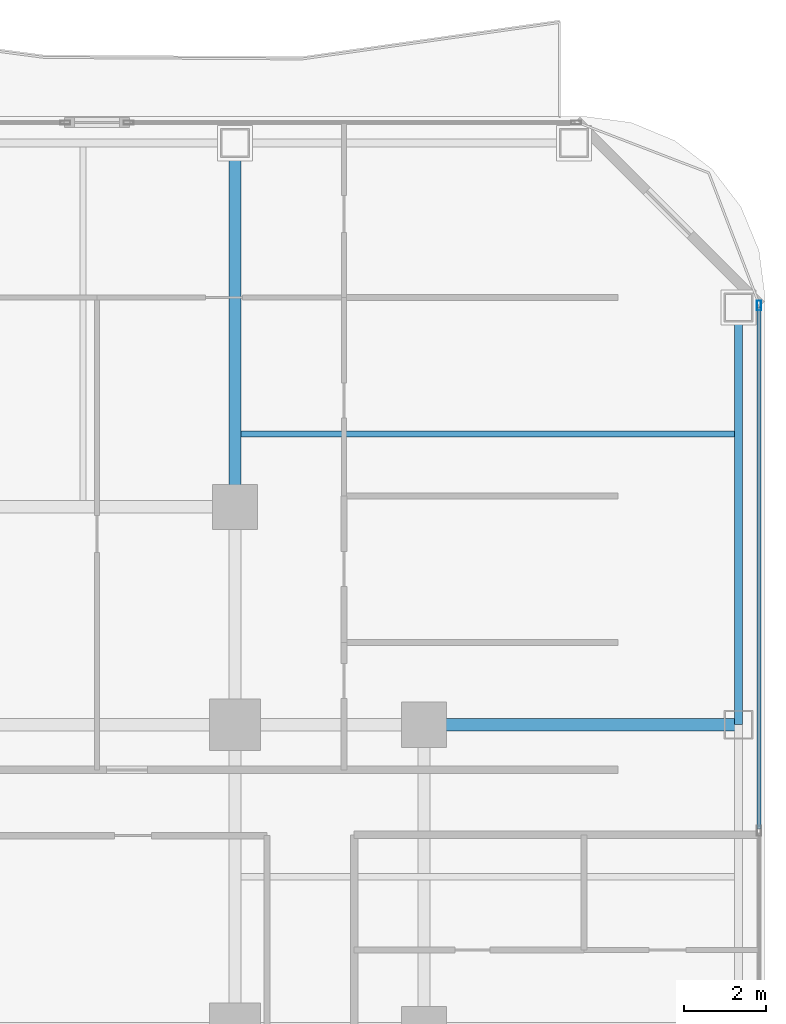
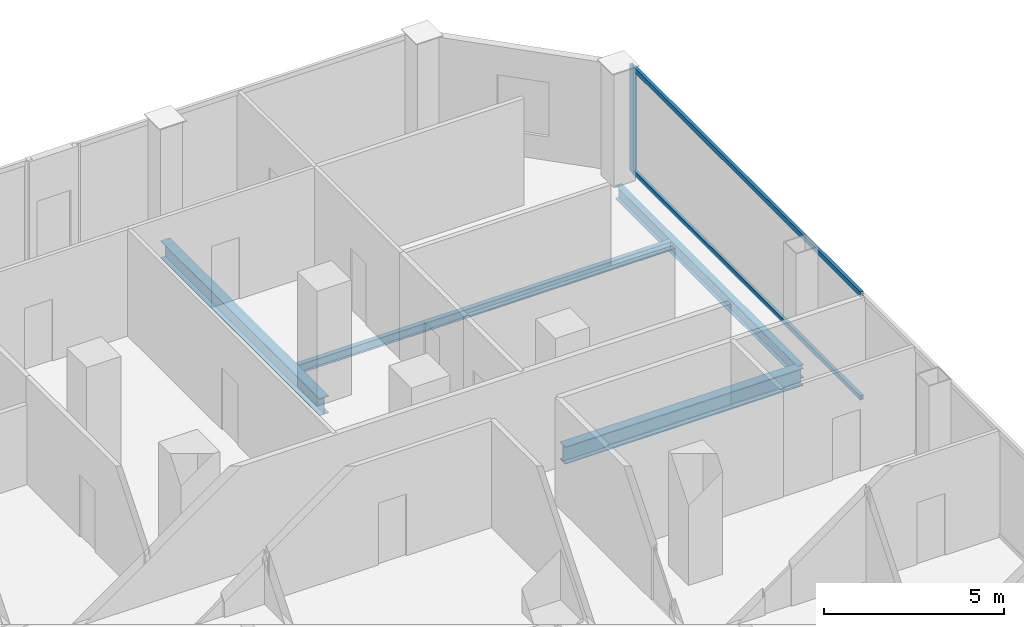
# One storey, part 17 of 27: 4 beams, 3 members, 1 element without a shape of its own.
"""IFC4 building model written with IfcOpenShell, lengths in metres."""

from ifc_helpers import new_model, si_unit, direction, frame, origin, origin_2d, place, context, subcontext, project, spatial, hollow_rectangle, i_section, extrude, material, layer, layer_set, material_profile, profile_set, type_object, element, aggregate, save


model = new_model("IFC4")

# Units and contexts
model_context = context("Model", 3, precision=1e-05, world=origin(), true_north=direction((0.0, 1.0)))
body_context = subcontext(model_context, "Body", "Model", "MODEL_VIEW")
ifc_project = project(units=[si_unit("LENGTHUNIT", "METRE"), si_unit("AREAUNIT", "SQUARE_METRE"), si_unit("VOLUMEUNIT", "CUBIC_METRE"), si_unit("PLANEANGLEUNIT", "RADIAN"), si_unit("MASSUNIT", "GRAM", prefix="KILO")], contexts=[model_context])

# Site, building, storey
site_placement = place(None, origin())
site = spatial("IfcSite", under=ifc_project, at=site_placement, CompositionType="ELEMENT")
building_placement = place(site_placement, origin())
building = spatial("IfcBuilding", under=site, at=building_placement, Name="Khorvyn Point Tower", CompositionType="ELEMENT")
storey_placement = place(building_placement, frame((0.0, 0.0, 132.89990234375)))
storey = spatial("IfcBuildingStorey", under=building, at=storey_placement, Name="L33", CompositionType="ELEMENT", Elevation=132.89990234375)

# Curtain wall, members
ifc_material_1 = material(Name="Anodised aluminium 6063-T6 and laminated Low-E glass", Category="aluminium")
ifc_layer = layer(ifc_material_1, 0.18994140625)
ifc_layer_set = layer_set([ifc_layer], Name="Stick-Built Acoustic Curtain Wall CW-SYS-03")
curtain_wall_type = type_object("IfcCurtainWallType", Name="Stick-Built Acoustic Curtain Wall CW-SYS-03", PredefinedType="NOTDEFINED", material=ifc_layer_set)
curtain_wall_placement = place(storey_placement, origin())
curtain_wall = element("IfcCurtainWall", 1, at=curtain_wall_placement, inside=storey, type_object=curtain_wall_type, Name="Curtain Wall", PredefinedType="NOTDEFINED")
ifc_material_2 = material(Name="Anodised aluminium 6063-T6", Category="aluminium")
ifc_material_profile_1 = material_profile(ifc_material_2, hollow_rectangle(XDim=0.10009765625, YDim=0.239990234375, WallThickness=0.0048828125, at=origin_2d()))
ifc_profile_set_1 = profile_set([ifc_material_profile_1], Name="Anodised aluminium 6063-T6 ALU-MUL-100x240")
member_type_1 = type_object("IfcMemberType", Name="Anodised Aluminium 6063-T6 Mullion ALU-MUL-100x240", PredefinedType="MULLION", material=ifc_profile_set_1)
member_1_placement = place(storey_placement, frame((27.550048828125, 25.0, 0.0), z_axis=(0.0, 0.0, 1.0), x_axis=(1.0, 0.0, 0.0)))
member_1 = element("IfcMember", 2, at=member_1_placement, type_object=member_type_1, Name="Transom", PredefinedType="MULLION", context=body_context, shape_type="SweptSolid", body=[
    extrude(hollow_rectangle(XDim=0.10009765625, YDim=0.239990234375, WallThickness=0.0048828125, at=origin_2d()), origin(), (0.0, 0.0, 1.0), 3.6201171875),
])
ifc_material_profile_2 = material_profile(ifc_material_2, hollow_rectangle(XDim=0.10009765625, YDim=0.159912109375, WallThickness=0.00439453125, at=origin_2d()))
ifc_profile_set_2 = profile_set([ifc_material_profile_2], Name="Anodised aluminium 6063-T6 ALU-TRN-100x160")
member_type_2 = type_object("IfcMemberType", Name="Anodised Aluminium 6063-T6 Transom ALU-TRN-100x160", PredefinedType="USERDEFINED", material=ifc_profile_set_2)
member_2_placement = place(storey_placement, frame((27.550048828125, 24.949951171875, 0.050048828125), z_axis=(0.0, -1.0, 0.0), x_axis=(1.0, 0.0, 0.0)))
member_2 = element("IfcMember", 3, at=member_2_placement, type_object=member_type_2, Name="Transom", ObjectType="TRANSOM", PredefinedType="USERDEFINED", context=body_context, shape_type="SweptSolid", body=[
    extrude(hollow_rectangle(XDim=0.10009765625, YDim=0.159912109375, WallThickness=0.00439453125, at=origin_2d()), origin(), (0.0, 0.0, 1.0), 12.683349609375),
])
member_3_placement = place(storey_placement, frame((27.550048828125, 24.949951171875, 3.570068359375), z_axis=(0.0, -1.0, 0.0), x_axis=(1.0, 0.0, 0.0)))
member_3 = element("IfcMember", 4, at=member_3_placement, type_object=member_type_2, Name="Transom", ObjectType="TRANSOM", PredefinedType="USERDEFINED", context=body_context, shape_type="SweptSolid", body=[
    extrude(hollow_rectangle(XDim=0.10009765625, YDim=0.159912109375, WallThickness=0.00439453125, at=origin_2d()), origin(), (0.0, 0.0, 1.0), 12.683349609375),
])
aggregate(curtain_wall, [member_1, member_2, member_3])

# Beams
ifc_material_3 = material(Name="Steel S355", Category="steel")
ifc_material_profile_3 = material_profile(ifc_material_3, i_section(OverallWidth=0.300048828125, OverallDepth=0.587890625, WebThickness=0.011962890625, FlangeThickness=0.02001953125, at=origin_2d()))
ifc_profile_set_3 = profile_set([ifc_material_profile_3], Name="Steel S355 H588x300x12x20")
beam_type_1 = type_object("IfcBeamType", Name="Steel S355 Beam H588x300x12x20", PredefinedType="BEAM", material=ifc_profile_set_3)
beam_1_placement = place(storey_placement, frame((19.39990234375, 14.800048828125, -0.513916015625), z_axis=(1.0, 0.0, 0.0), x_axis=(0.0, 1.0, 0.0)))
element("IfcBeam", 5, at=beam_1_placement, inside=storey, type_object=beam_type_1, Name="Beam", PredefinedType="BEAM", context=body_context, shape_type="SweptSolid", body=[
    extrude(i_section(OverallWidth=0.300048828125, OverallDepth=0.587890625, WebThickness=0.011962890625, FlangeThickness=0.02001953125, at=origin_2d()), origin(), (0.0, 0.0, 1.0), 7.650146484375),
])
beam_2_placement = place(storey_placement, frame((14.800048828125, 20.10009765625, -0.513916015625), z_axis=(0.0, 1.0, 0.0), x_axis=(-1.0, 0.0, 0.0)))
element("IfcBeam", 6, at=beam_2_placement, inside=storey, type_object=beam_type_1, Name="Beam", PredefinedType="BEAM", context=body_context, shape_type="SweptSolid", body=[
    extrude(i_section(OverallWidth=0.300048828125, OverallDepth=0.587890625, WebThickness=0.011962890625, FlangeThickness=0.02001953125, at=origin_2d()), origin(), (0.0, 0.0, 1.0), 8.849853515625),
])
ifc_material_profile_4 = material_profile(ifc_material_3, i_section(OverallWidth=0.14990234375, OverallDepth=0.300048828125, WebThickness=0.006591796875, FlangeThickness=0.009033203125, at=origin_2d()))
ifc_profile_set_4 = profile_set([ifc_material_profile_4], Name="Steel S355 H300x150x6.5x9")
beam_type_2 = type_object("IfcBeamType", Name="Steel S355 Joist H300x150x6.5x9", PredefinedType="JOIST", material=ifc_profile_set_4)
beam_3_placement = place(storey_placement, frame((14.949951171875, 21.875, -0.369873046875), z_axis=(1.0, 0.0, 0.0), x_axis=(0.0, 1.0, 0.0)))
element("IfcBeam", 7, at=beam_3_placement, inside=storey, type_object=beam_type_2, Name="Beam", PredefinedType="JOIST", context=body_context, shape_type="SweptSolid", body=[
    extrude(i_section(OverallWidth=0.14990234375, OverallDepth=0.300048828125, WebThickness=0.006591796875, FlangeThickness=0.009033203125, at=origin_2d()), origin(), (0.0, 0.0, 1.0), 12.0),
])
ifc_material_profile_5 = material_profile(ifc_material_3, i_section(OverallWidth=0.199951171875, OverallDepth=0.449951171875, WebThickness=0.009033203125, FlangeThickness=0.013916015625, at=origin_2d()))
ifc_profile_set_5 = profile_set([ifc_material_profile_5], Name="Steel S355 H450x200x9x14")
beam_type_3 = type_object("IfcBeamType", Name="Steel S355 Spandrel H450x200x9x14", PredefinedType="SPANDREL", material=ifc_profile_set_5)
beam_4_placement = place(storey_placement, frame((27.050048828125, 14.800048828125, -0.44482421875), z_axis=(0.0, 1.0, 0.0), x_axis=(-1.0, 0.0, 0.0)))
element("IfcBeam", 8, at=beam_4_placement, inside=storey, type_object=beam_type_3, Name="Beam", PredefinedType="SPANDREL", context=body_context, shape_type="SweptSolid", body=[
    extrude(i_section(OverallWidth=0.199951171875, OverallDepth=0.449951171875, WebThickness=0.009033203125, FlangeThickness=0.013916015625, at=origin_2d()), origin(), (0.0, 0.0, 1.0), 10.14990234375),
])

save(model, "model.ifc")
